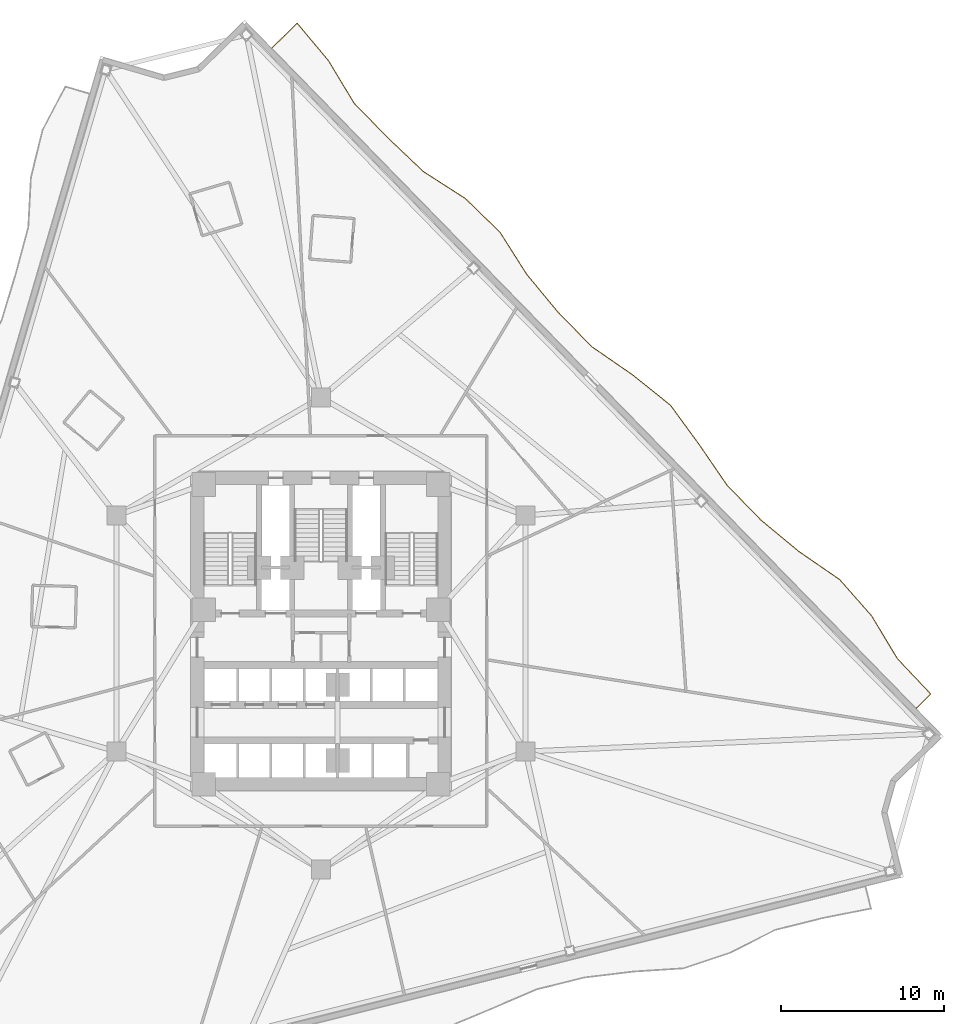
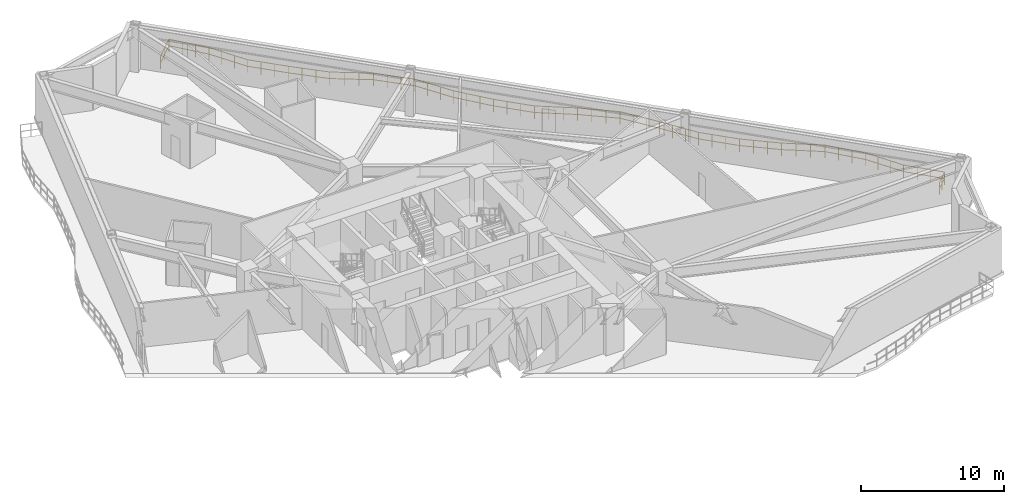
# One storey, part 10 of 10: 1 railing.
"""IFC4 building model written with IfcOpenShell, lengths in metres."""

from ifc_helpers import new_model, si_unit, direction, frame, origin, origin_2d, place, context, subcontext, project, spatial, rectangle, extrude, material, type_object, element, save


model = new_model("IFC4")

# Units and contexts
model_context = context("Model", 3, precision=1e-05, world=origin(), true_north=direction((0.0, 1.0)))
body_context = subcontext(model_context, "Body", "Model", "MODEL_VIEW")
ifc_project = project(units=[si_unit("LENGTHUNIT", "METRE"), si_unit("AREAUNIT", "SQUARE_METRE"), si_unit("VOLUMEUNIT", "CUBIC_METRE"), si_unit("PLANEANGLEUNIT", "RADIAN"), si_unit("MASSUNIT", "GRAM", prefix="KILO")], contexts=[model_context])

# Site, building, storey
site_placement = place(None, origin())
site = spatial("IfcSite", under=ifc_project, at=site_placement, CompositionType="ELEMENT")
building_placement = place(site_placement, origin())
building = spatial("IfcBuilding", under=site, at=building_placement, Name="Apsidion Concourse Tower", CompositionType="ELEMENT")
storey_placement = place(building_placement, frame((0.0, 0.0, 107.0)))
storey = spatial("IfcBuildingStorey", under=building, at=storey_placement, Name="L24", CompositionType="ELEMENT", Elevation=107.0)

# Railing
ifc_material = material(Name="Brushed stainless steel 316", Category="steel")
railing_type = type_object("IfcRailingType", Name="RL-BAL-1120", PredefinedType="BALUSTRADE", material=ifc_material)
railing_placement = place(storey_placement, frame((-3.018310546875, 35.96728515625, 0.0)))
element("IfcRailing", 1, at=railing_placement, inside=storey, type_object=railing_type, Name="L24 Face 3 Rippling Balcony Balustrade", PredefinedType="BALUSTRADE", context=body_context, shape_type="SweptSolid", body=[
    extrude(rectangle(XDim=0.048095703125, YDim=0.048095703125, at=origin_2d()), frame((0.0, 0.0, 1.09619140625), z_axis=(0.715632922646, 0.698476570849, 0.0), x_axis=(-0.698476570849, 0.715632922646, 0.0)), (0.0, 0.0, 1.0), 2.17724609375),
    extrude(rectangle(XDim=0.048095703125, YDim=0.048095703125, at=origin_2d()), frame((0.0, 0.0, 0.5361328125), z_axis=(0.715632922646, 0.698476570849, 0.0), x_axis=(-0.698476570849, 0.715632922646, 0.0)), (0.0, 0.0, 1.0), 2.17724609375),
    extrude(rectangle(XDim=0.048095703125, YDim=0.048095703125, at=origin_2d()), frame((1.55810546875, 1.520751953125, 1.09619140625), z_axis=(0.642309284354, -0.766445551381, 0.0), x_axis=(0.766445551381, 0.642309284354, 0.0)), (0.0, 0.0, 1.0), 2.991455078125),
    extrude(rectangle(XDim=0.048095703125, YDim=0.048095703125, at=origin_2d()), frame((1.55810546875, 1.520751953125, 0.5361328125), z_axis=(0.642309284354, -0.766445551381, 0.0), x_axis=(0.766445551381, 0.642309284354, 0.0)), (0.0, 0.0, 1.0), 2.991455078125),
    extrude(rectangle(XDim=0.048095703125, YDim=0.048095703125, at=origin_2d()), frame((3.4794921875, -0.77197265625, 1.09619140625), z_axis=(0.51628729533, -0.856415453318, 0.0), x_axis=(0.856415453318, 0.51628729533, 0.0)), (0.0, 0.0, 1.0), 3.064208984375),
    extrude(rectangle(XDim=0.048095703125, YDim=0.048095703125, at=origin_2d()), frame((3.4794921875, -0.77197265625, 0.5361328125), z_axis=(0.51628729533, -0.856415453318, 0.0), x_axis=(0.856415453318, 0.51628729533, 0.0)), (0.0, 0.0, 1.0), 3.064208984375),
    extrude(rectangle(XDim=0.048095703125, YDim=0.048095703125, at=origin_2d()), frame((5.0615234375, -3.396240234375, 1.09619140625), z_axis=(0.698460887015, -0.715648230145, 0.0), x_axis=(0.715648230145, 0.698460887015, 0.0)), (0.0, 0.0, 1.0), 2.98291015625),
    extrude(rectangle(XDim=0.048095703125, YDim=0.048095703125, at=origin_2d()), frame((5.0615234375, -3.396240234375, 0.5361328125), z_axis=(0.698460887015, -0.715648230145, 0.0), x_axis=(0.715648230145, 0.698460887015, 0.0)), (0.0, 0.0, 1.0), 2.98291015625),
    extrude(rectangle(XDim=0.048095703125, YDim=0.048095703125, at=origin_2d()), frame((7.14501953125, -5.531005859375, 1.09619140625), z_axis=(0.72507090215, -0.688674224039, 0.0), x_axis=(0.688674224039, 0.72507090215, 0.0)), (0.0, 0.0, 1.0), 2.98486328125),
    extrude(rectangle(XDim=0.048095703125, YDim=0.048095703125, at=origin_2d()), frame((7.14501953125, -5.531005859375, 0.5361328125), z_axis=(0.72507090215, -0.688674224039, 0.0), x_axis=(0.688674224039, 0.72507090215, 0.0)), (0.0, 0.0, 1.0), 2.98486328125),
    extrude(rectangle(XDim=0.048095703125, YDim=0.048095703125, at=origin_2d()), frame((9.309326171875, -7.586669921875, 1.09619140625), z_axis=(0.841401253561, -0.540410890439, 0.0), x_axis=(0.540410890439, 0.841401253561, 0.0)), (0.0, 0.0, 1.0), 3.061279296875),
    extrude(rectangle(XDim=0.048095703125, YDim=0.048095703125, at=origin_2d()), frame((9.309326171875, -7.586669921875, 0.5361328125), z_axis=(0.841401253561, -0.540410890439, 0.0), x_axis=(0.540410890439, 0.841401253561, 0.0)), (0.0, 0.0, 1.0), 3.061279296875),
    extrude(rectangle(XDim=0.048095703125, YDim=0.048095703125, at=origin_2d()), frame((11.885009765625, -9.240966796875, 1.09619140625), z_axis=(0.716493787725, -0.697593471982, 0.0), x_axis=(0.697593471982, 0.716493787725, 0.0)), (0.0, 0.0, 1.0), 2.98388671875),
    extrude(rectangle(XDim=0.048095703125, YDim=0.048095703125, at=origin_2d()), frame((11.885009765625, -9.240966796875, 0.5361328125), z_axis=(0.716493787725, -0.697593471982, 0.0), x_axis=(0.697593471982, 0.716493787725, 0.0)), (0.0, 0.0, 1.0), 2.98388671875),
    extrude(rectangle(XDim=0.048095703125, YDim=0.048095703125, at=origin_2d()), frame((14.02294921875, -11.322509765625, 1.09619140625), z_axis=(0.53583871238, -0.844320362371, 0.0), x_axis=(0.844320362371, 0.53583871238, 0.0)), (0.0, 0.0, 1.0), 3.048583984375),
    extrude(rectangle(XDim=0.048095703125, YDim=0.048095703125, at=origin_2d()), frame((14.02294921875, -11.322509765625, 0.5361328125), z_axis=(0.53583871238, -0.844320362371, 0.0), x_axis=(0.844320362371, 0.53583871238, 0.0)), (0.0, 0.0, 1.0), 3.048583984375),
    extrude(rectangle(XDim=0.048095703125, YDim=0.048095703125, at=origin_2d()), frame((15.656494140625, -13.896484375, 1.09619140625), z_axis=(0.636873015341, -0.77096871683, 0.0), x_axis=(0.77096871683, 0.636873015341, 0.0)), (0.0, 0.0, 1.0), 2.9931640625),
    extrude(rectangle(XDim=0.048095703125, YDim=0.048095703125, at=origin_2d()), frame((15.656494140625, -13.896484375, 0.5361328125), z_axis=(0.636873015341, -0.77096871683, 0.0), x_axis=(0.77096871683, 0.636873015341, 0.0)), (0.0, 0.0, 1.0), 2.9931640625),
    extrude(rectangle(XDim=0.048095703125, YDim=0.048095703125, at=origin_2d()), frame((17.562744140625, -16.2041015625, 1.09619140625), z_axis=(0.698502800273, -0.7156073211, 0.0), x_axis=(0.7156073211, 0.698502800273, 0.0)), (0.0, 0.0, 1.0), 2.983154296875),
    extrude(rectangle(XDim=0.048095703125, YDim=0.048095703125, at=origin_2d()), frame((17.562744140625, -16.2041015625, 0.5361328125), z_axis=(0.698502800273, -0.7156073211, 0.0), x_axis=(0.7156073211, 0.698502800273, 0.0)), (0.0, 0.0, 1.0), 2.983154296875),
    extrude(rectangle(XDim=0.048095703125, YDim=0.048095703125, at=origin_2d()), frame((19.646484375, -18.3388671875, 1.09619140625), z_axis=(0.823058713575, -0.567956295861, 0.0), x_axis=(0.567956295861, 0.823058713575, 0.0)), (0.0, 0.0, 1.0), 3.03955078125),
    extrude(rectangle(XDim=0.048095703125, YDim=0.048095703125, at=origin_2d()), frame((19.646484375, -18.3388671875, 0.5361328125), z_axis=(0.823058713575, -0.567956295861, 0.0), x_axis=(0.567956295861, 0.823058713575, 0.0)), (0.0, 0.0, 1.0), 3.03955078125),
    extrude(rectangle(XDim=0.048095703125, YDim=0.048095703125, at=origin_2d()), frame((22.148193359375, -20.065185546875, 1.09619140625), z_axis=(0.780170826925, -0.625566527889, 0.0), x_axis=(0.625566527889, 0.780170826925, 0.0)), (0.0, 0.0, 1.0), 3.005126953125),
    extrude(rectangle(XDim=0.048095703125, YDim=0.048095703125, at=origin_2d()), frame((22.148193359375, -20.065185546875, 0.5361328125), z_axis=(0.780170826925, -0.625566527889, 0.0), x_axis=(0.625566527889, 0.780170826925, 0.0)), (0.0, 0.0, 1.0), 3.005126953125),
    extrude(rectangle(XDim=0.048095703125, YDim=0.048095703125, at=origin_2d()), frame((24.49267578125, -21.945068359375, 1.09619140625), z_axis=(0.5895676407, -0.807719008715, 0.0), x_axis=(0.807719008715, 0.5895676407, 0.0)), (0.0, 0.0, 1.0), 3.013916015625),
    extrude(rectangle(XDim=0.048095703125, YDim=0.048095703125, at=origin_2d()), frame((24.49267578125, -21.945068359375, 0.5361328125), z_axis=(0.5895676407, -0.807719008715, 0.0), x_axis=(0.807719008715, 0.5895676407, 0.0)), (0.0, 0.0, 1.0), 3.013916015625),
    extrude(rectangle(XDim=0.048095703125, YDim=0.048095703125, at=origin_2d()), frame((26.26953125, -24.37939453125, 1.09619140625), z_axis=(0.565169452445, -0.824974842055, 0.0), x_axis=(0.824974842055, 0.565169452445, 0.0)), (0.0, 0.0, 1.0), 3.02783203125),
    extrude(rectangle(XDim=0.048095703125, YDim=0.048095703125, at=origin_2d()), frame((26.26953125, -24.37939453125, 0.5361328125), z_axis=(0.565169452445, -0.824974842055, 0.0), x_axis=(0.824974842055, 0.565169452445, 0.0)), (0.0, 0.0, 1.0), 3.02783203125),
    extrude(rectangle(XDim=0.048095703125, YDim=0.048095703125, at=origin_2d()), frame((27.980712890625, -26.877197265625, 1.09619140625), z_axis=(0.698460887015, -0.715648230145, 0.0), x_axis=(0.715648230145, 0.698460887015, 0.0)), (0.0, 0.0, 1.0), 2.98291015625),
    extrude(rectangle(XDim=0.048095703125, YDim=0.048095703125, at=origin_2d()), frame((27.980712890625, -26.877197265625, 0.5361328125), z_axis=(0.698460887015, -0.715648230145, 0.0), x_axis=(0.715648230145, 0.698460887015, 0.0)), (0.0, 0.0, 1.0), 2.98291015625),
    extrude(rectangle(XDim=0.048095703125, YDim=0.048095703125, at=origin_2d()), frame((30.064208984375, -29.011962890625, 1.09619140625), z_axis=(0.770318500913, -0.637659319034, 0.0), x_axis=(0.637659319034, 0.770318500913, 0.0)), (0.0, 0.0, 1.0), 2.999755859375),
    extrude(rectangle(XDim=0.048095703125, YDim=0.048095703125, at=origin_2d()), frame((30.064208984375, -29.011962890625, 0.5361328125), z_axis=(0.770318500913, -0.637659319034, 0.0), x_axis=(0.637659319034, 0.770318500913, 0.0)), (0.0, 0.0, 1.0), 2.999755859375),
    extrude(rectangle(XDim=0.048095703125, YDim=0.048095703125, at=origin_2d()), frame((32.375, -30.9248046875, 1.09619140625), z_axis=(0.823655133684, -0.567091016289, 0.0), x_axis=(0.567091016289, 0.823655133684, 0.0)), (0.0, 0.0, 1.0), 3.040283203125),
    extrude(rectangle(XDim=0.048095703125, YDim=0.048095703125, at=origin_2d()), frame((32.375, -30.9248046875, 0.5361328125), z_axis=(0.823655133684, -0.567091016289, 0.0), x_axis=(0.567091016289, 0.823655133684, 0.0)), (0.0, 0.0, 1.0), 3.040283203125),
    extrude(rectangle(XDim=0.048095703125, YDim=0.048095703125, at=origin_2d()), frame((34.879150390625, -32.64892578125, 1.09619140625), z_axis=(0.661197085966, -0.750212245641, 0.0), x_axis=(0.750212245641, 0.661197085966, 0.0)), (0.0, 0.0, 1.0), 2.98681640625),
    extrude(rectangle(XDim=0.048095703125, YDim=0.048095703125, at=origin_2d()), frame((34.879150390625, -32.64892578125, 0.5361328125), z_axis=(0.661197085966, -0.750212245641, 0.0), x_axis=(0.750212245641, 0.661197085966, 0.0)), (0.0, 0.0, 1.0), 2.98681640625),
    extrude(rectangle(XDim=0.048095703125, YDim=0.048095703125, at=origin_2d()), frame((36.85400390625, -34.8896484375, 1.09619140625), z_axis=(0.514823666773, -0.857296093617, 0.0), x_axis=(0.857296093617, 0.514823666773, 0.0)), (0.0, 0.0, 1.0), 3.0654296875),
    extrude(rectangle(XDim=0.048095703125, YDim=0.048095703125, at=origin_2d()), frame((36.85400390625, -34.8896484375, 0.5361328125), z_axis=(0.514823666773, -0.857296093617, 0.0), x_axis=(0.857296093617, 0.514823666773, 0.0)), (0.0, 0.0, 1.0), 3.0654296875),
    extrude(rectangle(XDim=0.048095703125, YDim=0.048095703125, at=origin_2d()), frame((38.43212890625, -37.517578125, 1.09619140625), z_axis=(0.68706794478, -0.726593173142, 0.0), x_axis=(0.726593173142, 0.68706794478, 0.0)), (0.0, 0.0, 1.0), 2.9833984375),
    extrude(rectangle(XDim=0.048095703125, YDim=0.048095703125, at=origin_2d()), frame((38.43212890625, -37.517578125, 0.5361328125), z_axis=(0.68706794478, -0.726593173142, 0.0), x_axis=(0.726593173142, 0.68706794478, 0.0)), (0.0, 0.0, 1.0), 2.9833984375),
    extrude(rectangle(XDim=0.048095703125, YDim=0.048095703125, at=origin_2d()), frame((40.48193359375, -39.685302734375, 1.09619140625), z_axis=(-0.715648587439, -0.698460520929, 0.0), x_axis=(0.698460520929, -0.715648587439, 0.0)), (0.0, 0.0, 1.0), 1.25),
    extrude(rectangle(XDim=0.048095703125, YDim=0.048095703125, at=origin_2d()), frame((40.48193359375, -39.685302734375, 0.5361328125), z_axis=(-0.715648587439, -0.698460520929, 0.0), x_axis=(0.698460520929, -0.715648587439, 0.0)), (0.0, 0.0, 1.0), 1.25),
    extrude(rectangle(XDim=0.0419921875, YDim=0.0419921875, at=origin_2d()), origin(), (0.0, 0.0, 1.0), 1.072021484375),
    extrude(rectangle(XDim=0.0419921875, YDim=0.0419921875, at=origin_2d()), frame((0.779052734375, 0.76025390625, 0.0)), (0.0, 0.0, 1.0), 1.072021484375),
    extrude(rectangle(XDim=0.0419921875, YDim=0.0419921875, at=origin_2d()), frame((1.55810546875, 1.520751953125, 0.0)), (0.0, 0.0, 1.0), 1.072021484375),
    extrude(rectangle(XDim=0.0419921875, YDim=0.0419921875, at=origin_2d()), frame((2.198486328125, 0.756591796875, 0.0)), (0.0, 0.0, 1.0), 1.072021484375),
    extrude(rectangle(XDim=0.0419921875, YDim=0.0419921875, at=origin_2d()), frame((2.839111328125, -0.0078125, 0.0)), (0.0, 0.0, 1.0), 1.072021484375),
    extrude(rectangle(XDim=0.0419921875, YDim=0.0419921875, at=origin_2d()), frame((3.4794921875, -0.77197265625, 0.0)), (0.0, 0.0, 1.0), 1.072021484375),
    extrude(rectangle(XDim=0.0419921875, YDim=0.0419921875, at=origin_2d()), frame((4.0068359375, -1.646728515625, 0.0)), (0.0, 0.0, 1.0), 1.072021484375),
    extrude(rectangle(XDim=0.0419921875, YDim=0.0419921875, at=origin_2d()), frame((4.5341796875, -2.521484375, 0.0)), (0.0, 0.0, 1.0), 1.072021484375),
    extrude(rectangle(XDim=0.0419921875, YDim=0.0419921875, at=origin_2d()), frame((5.0615234375, -3.396240234375, 0.0)), (0.0, 0.0, 1.0), 1.072021484375),
    extrude(rectangle(XDim=0.0419921875, YDim=0.0419921875, at=origin_2d()), frame((5.756103515625, -4.10791015625, 0.0)), (0.0, 0.0, 1.0), 1.072021484375),
    extrude(rectangle(XDim=0.0419921875, YDim=0.0419921875, at=origin_2d()), frame((6.450439453125, -4.8193359375, 0.0)), (0.0, 0.0, 1.0), 1.072021484375),
    extrude(rectangle(XDim=0.0419921875, YDim=0.0419921875, at=origin_2d()), frame((7.14501953125, -5.531005859375, 0.0)), (0.0, 0.0, 1.0), 1.072021484375),
    extrude(rectangle(XDim=0.0419921875, YDim=0.0419921875, at=origin_2d()), frame((7.866455078125, -6.21630859375, 0.0)), (0.0, 0.0, 1.0), 1.072021484375),
    extrude(rectangle(XDim=0.0419921875, YDim=0.0419921875, at=origin_2d()), frame((8.587890625, -6.9013671875, 0.0)), (0.0, 0.0, 1.0), 1.072021484375),
    extrude(rectangle(XDim=0.0419921875, YDim=0.0419921875, at=origin_2d()), frame((9.309326171875, -7.586669921875, 0.0)), (0.0, 0.0, 1.0), 1.072021484375),
    extrude(rectangle(XDim=0.0419921875, YDim=0.0419921875, at=origin_2d()), frame((10.16796875, -8.13818359375, 0.0)), (0.0, 0.0, 1.0), 1.072021484375),
    extrude(rectangle(XDim=0.0419921875, YDim=0.0419921875, at=origin_2d()), frame((11.0263671875, -8.689453125, 0.0)), (0.0, 0.0, 1.0), 1.072021484375),
    extrude(rectangle(XDim=0.0419921875, YDim=0.0419921875, at=origin_2d()), frame((11.885009765625, -9.240966796875, 0.0)), (0.0, 0.0, 1.0), 1.072021484375),
    extrude(rectangle(XDim=0.0419921875, YDim=0.0419921875, at=origin_2d()), frame((12.59765625, -9.934814453125, 0.0)), (0.0, 0.0, 1.0), 1.072021484375),
    extrude(rectangle(XDim=0.0419921875, YDim=0.0419921875, at=origin_2d()), frame((13.310302734375, -10.628662109375, 0.0)), (0.0, 0.0, 1.0), 1.072021484375),
    extrude(rectangle(XDim=0.0419921875, YDim=0.0419921875, at=origin_2d()), frame((14.02294921875, -11.322509765625, 0.0)), (0.0, 0.0, 1.0), 1.072021484375),
    extrude(rectangle(XDim=0.0419921875, YDim=0.0419921875, at=origin_2d()), frame((14.5673828125, -12.180419921875, 0.0)), (0.0, 0.0, 1.0), 1.072021484375),
    extrude(rectangle(XDim=0.0419921875, YDim=0.0419921875, at=origin_2d()), frame((15.112060546875, -13.03857421875, 0.0)), (0.0, 0.0, 1.0), 1.072021484375),
    extrude(rectangle(XDim=0.0419921875, YDim=0.0419921875, at=origin_2d()), frame((15.656494140625, -13.896484375, 0.0)), (0.0, 0.0, 1.0), 1.072021484375),
    extrude(rectangle(XDim=0.0419921875, YDim=0.0419921875, at=origin_2d()), frame((16.2919921875, -14.665771484375, 0.0)), (0.0, 0.0, 1.0), 1.072021484375),
    extrude(rectangle(XDim=0.0419921875, YDim=0.0419921875, at=origin_2d()), frame((16.92724609375, -15.434814453125, 0.0)), (0.0, 0.0, 1.0), 1.072021484375),
    extrude(rectangle(XDim=0.0419921875, YDim=0.0419921875, at=origin_2d()), frame((17.562744140625, -16.2041015625, 0.0)), (0.0, 0.0, 1.0), 1.072021484375),
    extrude(rectangle(XDim=0.0419921875, YDim=0.0419921875, at=origin_2d()), frame((18.25732421875, -16.915771484375, 0.0)), (0.0, 0.0, 1.0), 1.072021484375),
    extrude(rectangle(XDim=0.0419921875, YDim=0.0419921875, at=origin_2d()), frame((18.951904296875, -17.627197265625, 0.0)), (0.0, 0.0, 1.0), 1.072021484375),
    extrude(rectangle(XDim=0.0419921875, YDim=0.0419921875, at=origin_2d()), frame((19.646484375, -18.3388671875, 0.0)), (0.0, 0.0, 1.0), 1.072021484375),
    extrude(rectangle(XDim=0.0419921875, YDim=0.0419921875, at=origin_2d()), frame((20.48046875, -18.914306640625, 0.0)), (0.0, 0.0, 1.0), 1.072021484375),
    extrude(rectangle(XDim=0.0419921875, YDim=0.0419921875, at=origin_2d()), frame((21.314208984375, -19.48974609375, 0.0)), (0.0, 0.0, 1.0), 1.072021484375),
    extrude(rectangle(XDim=0.0419921875, YDim=0.0419921875, at=origin_2d()), frame((22.148193359375, -20.065185546875, 0.0)), (0.0, 0.0, 1.0), 1.072021484375),
    extrude(rectangle(XDim=0.0419921875, YDim=0.0419921875, at=origin_2d()), frame((22.9296875, -20.69189453125, 0.0)), (0.0, 0.0, 1.0), 1.072021484375),
    extrude(rectangle(XDim=0.0419921875, YDim=0.0419921875, at=origin_2d()), frame((23.711181640625, -21.318359375, 0.0)), (0.0, 0.0, 1.0), 1.072021484375),
    extrude(rectangle(XDim=0.0419921875, YDim=0.0419921875, at=origin_2d()), frame((24.49267578125, -21.945068359375, 0.0)), (0.0, 0.0, 1.0), 1.072021484375),
    extrude(rectangle(XDim=0.0419921875, YDim=0.0419921875, at=origin_2d()), frame((25.0849609375, -22.756591796875, 0.0)), (0.0, 0.0, 1.0), 1.072021484375),
    extrude(rectangle(XDim=0.0419921875, YDim=0.0419921875, at=origin_2d()), frame((25.67724609375, -23.56787109375, 0.0)), (0.0, 0.0, 1.0), 1.072021484375),
    extrude(rectangle(XDim=0.0419921875, YDim=0.0419921875, at=origin_2d()), frame((26.26953125, -24.37939453125, 0.0)), (0.0, 0.0, 1.0), 1.072021484375),
    extrude(rectangle(XDim=0.0419921875, YDim=0.0419921875, at=origin_2d()), frame((26.83984375, -25.2119140625, 0.0)), (0.0, 0.0, 1.0), 1.072021484375),
    extrude(rectangle(XDim=0.0419921875, YDim=0.0419921875, at=origin_2d()), frame((27.410400390625, -26.044677734375, 0.0)), (0.0, 0.0, 1.0), 1.072021484375),
    extrude(rectangle(XDim=0.0419921875, YDim=0.0419921875, at=origin_2d()), frame((27.980712890625, -26.877197265625, 0.0)), (0.0, 0.0, 1.0), 1.072021484375),
    extrude(rectangle(XDim=0.0419921875, YDim=0.0419921875, at=origin_2d()), frame((28.67529296875, -27.5888671875, 0.0)), (0.0, 0.0, 1.0), 1.072021484375),
    extrude(rectangle(XDim=0.0419921875, YDim=0.0419921875, at=origin_2d()), frame((29.36962890625, -28.30029296875, 0.0)), (0.0, 0.0, 1.0), 1.072021484375),
    extrude(rectangle(XDim=0.0419921875, YDim=0.0419921875, at=origin_2d()), frame((30.064208984375, -29.011962890625, 0.0)), (0.0, 0.0, 1.0), 1.072021484375),
    extrude(rectangle(XDim=0.0419921875, YDim=0.0419921875, at=origin_2d()), frame((30.83447265625, -29.649658203125, 0.0)), (0.0, 0.0, 1.0), 1.072021484375),
    extrude(rectangle(XDim=0.0419921875, YDim=0.0419921875, at=origin_2d()), frame((31.604736328125, -30.287109375, 0.0)), (0.0, 0.0, 1.0), 1.072021484375),
    extrude(rectangle(XDim=0.0419921875, YDim=0.0419921875, at=origin_2d()), frame((32.375, -30.9248046875, 0.0)), (0.0, 0.0, 1.0), 1.072021484375),
    extrude(rectangle(XDim=0.0419921875, YDim=0.0419921875, at=origin_2d()), frame((33.209716796875, -31.49951171875, 0.0)), (0.0, 0.0, 1.0), 1.072021484375),
    extrude(rectangle(XDim=0.0419921875, YDim=0.0419921875, at=origin_2d()), frame((34.04443359375, -32.07421875, 0.0)), (0.0, 0.0, 1.0), 1.072021484375),
    extrude(rectangle(XDim=0.0419921875, YDim=0.0419921875, at=origin_2d()), frame((34.879150390625, -32.64892578125, 0.0)), (0.0, 0.0, 1.0), 1.072021484375),
    extrude(rectangle(XDim=0.0419921875, YDim=0.0419921875, at=origin_2d()), frame((35.537353515625, -33.395751953125, 0.0)), (0.0, 0.0, 1.0), 1.072021484375),
    extrude(rectangle(XDim=0.0419921875, YDim=0.0419921875, at=origin_2d()), frame((36.19580078125, -34.142822265625, 0.0)), (0.0, 0.0, 1.0), 1.072021484375),
    extrude(rectangle(XDim=0.0419921875, YDim=0.0419921875, at=origin_2d()), frame((36.85400390625, -34.8896484375, 0.0)), (0.0, 0.0, 1.0), 1.072021484375),
    extrude(rectangle(XDim=0.0419921875, YDim=0.0419921875, at=origin_2d()), frame((37.380126953125, -35.765625, 0.0)), (0.0, 0.0, 1.0), 1.072021484375),
    extrude(rectangle(XDim=0.0419921875, YDim=0.0419921875, at=origin_2d()), frame((37.906005859375, -36.6416015625, 0.0)), (0.0, 0.0, 1.0), 1.072021484375),
    extrude(rectangle(XDim=0.0419921875, YDim=0.0419921875, at=origin_2d()), frame((38.43212890625, -37.517578125, 0.0)), (0.0, 0.0, 1.0), 1.072021484375),
    extrude(rectangle(XDim=0.0419921875, YDim=0.0419921875, at=origin_2d()), frame((39.115478515625, -38.240234375, 0.0)), (0.0, 0.0, 1.0), 1.072021484375),
    extrude(rectangle(XDim=0.0419921875, YDim=0.0419921875, at=origin_2d()), frame((39.798583984375, -38.962646484375, 0.0)), (0.0, 0.0, 1.0), 1.072021484375),
    extrude(rectangle(XDim=0.0419921875, YDim=0.0419921875, at=origin_2d()), frame((40.48193359375, -39.685302734375, 0.0)), (0.0, 0.0, 1.0), 1.072021484375),
    extrude(rectangle(XDim=0.0419921875, YDim=0.0419921875, at=origin_2d()), frame((40.03466796875, -40.121826171875, 0.0)), (0.0, 0.0, 1.0), 1.072021484375),
    extrude(rectangle(XDim=0.0419921875, YDim=0.0419921875, at=origin_2d()), frame((39.58740234375, -40.558349609375, 0.0)), (0.0, 0.0, 1.0), 1.072021484375),
])

save(model, "model.ifc")
